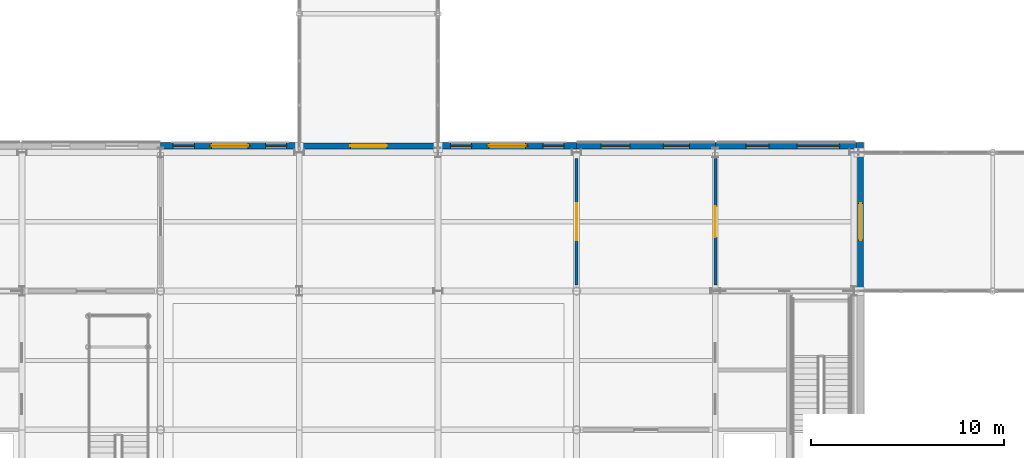
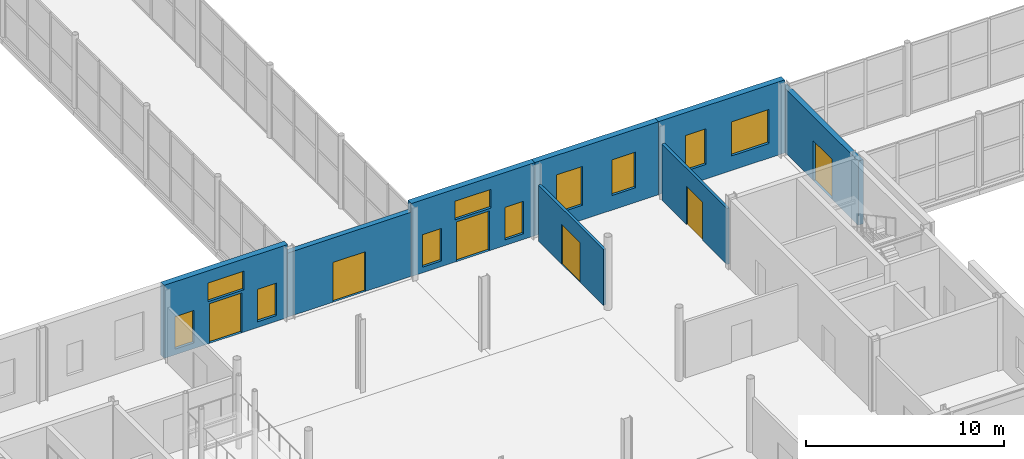
# One storey, part 59 of 92: 10 windows, 8 walls, 6 doors, 16 openings.
"""IFC4 building model written with IfcOpenShell, lengths in metres."""

from ifc_helpers import new_model, si_unit, direction, frame, frame_2d, origin, place, context, subcontext, project, spatial, rectangle, extrude, material, layer, layer_set, type_object, element, fill, save


model = new_model("IFC4")

# Units and contexts
model_context = context("Model", 3, precision=1e-05, world=origin(), true_north=direction((0.0, 1.0)))
body_context = subcontext(model_context, "Body", "Model", "MODEL_VIEW")
ifc_project = project(units=[si_unit("LENGTHUNIT", "METRE"), si_unit("AREAUNIT", "SQUARE_METRE"), si_unit("VOLUMEUNIT", "CUBIC_METRE"), si_unit("PLANEANGLEUNIT", "RADIAN"), si_unit("MASSUNIT", "GRAM", prefix="KILO")], contexts=[model_context])

# Site, building, storey
site_placement = place(None, origin())
site = spatial("IfcSite", under=ifc_project, at=site_placement, CompositionType="ELEMENT")
building_placement = place(site_placement, origin())
building = spatial("IfcBuilding", under=site, at=building_placement, Name="Zlatovets Crest Museum", CompositionType="ELEMENT")
storey_placement = place(building_placement, origin())
storey = spatial("IfcBuildingStorey", under=building, at=storey_placement, Name="L00", CompositionType="ELEMENT", Elevation=0.0)

# Wall, openings, windows
ifc_material_1 = material(Name="Vratsa limestone ashlar masonry and mineral wool", Category="masonry")
ifc_layer_1 = layer(ifc_material_1, 0.35009765625)
ifc_layer_set_1 = layer_set([ifc_layer_1], Name="Vratsa limestone ashlar masonry and mineral wool")
wall_type_1 = type_object("IfcWallType", Name="ExtWall_EW-01", PredefinedType="STANDARD", material=ifc_layer_set_1)
wall_1_placement = place(storey_placement, frame((108.1650390625, 29.139892578125, 0.0), z_axis=(0.0, 0.0, 1.0), x_axis=(-1.0, 0.0, 0.0)))
wall_1 = element("IfcWall", 1, at=wall_1_placement, inside=storey, type_object=wall_type_1, Name="V2 L00 Vratsa Limestone Plinth Wall", PredefinedType="STANDARD", context=body_context, shape_type="SweptSolid", body=[
    extrude(rectangle(XDim=7.364990234375, YDim=0.35009765625, at=frame_2d((3.6826171875, 0.0))), origin(), (0.0, 0.0, 1.0), 4.5),
])
opening_1_placement = place(wall_1_placement, frame((0.916015625, 0.0, 0.89990234375)))
opening_1 = element("IfcOpeningElement", 2, at=opening_1_placement, cuts=wall_1, Name="Opening WN-45", PredefinedType="OPENING", context=body_context, shape_type="SweptSolid", body=[
    extrude(rectangle(XDim=2.199951171875, YDim=2.10009765625, at=frame_2d((1.10009765625, 1.050048828125))), frame((0.0, 0.18505859375, 0.0), z_axis=(0.0, -1.0, 0.0), x_axis=(1.0, 0.0, 0.0)), (0.0, 0.0, 1.0), 0.3701171875),
])
opening_2_placement = place(wall_1_placement, frame((4.583984375, 0.0, 0.89990234375)))
opening_2 = element("IfcOpeningElement", 3, at=opening_2_placement, cuts=wall_1, Name="Opening WN-01", PredefinedType="OPENING", context=body_context, shape_type="SweptSolid", body=[
    extrude(rectangle(XDim=1.199951171875, YDim=2.199951171875, at=frame_2d((0.60009765625, 1.10009765625))), frame((0.0, 0.18505859375, 0.0), z_axis=(0.0, -1.0, 0.0), x_axis=(1.0, 0.0, 0.0)), (0.0, 0.0, 1.0), 0.3701171875),
])
ifc_material_2 = material(Name="Bronze-anodised aluminium frame with low-E triple glass", Category="aluminium")
window_type_1 = type_object("IfcWindowType", Name="Win_WN-01", PartitioningType="SINGLE_PANEL", PredefinedType="WINDOW", material=ifc_material_2)
window_1_placement = place(opening_2_placement, origin())
window_1 = element("IfcWindow", 4, at=window_1_placement, inside=storey, type_object=window_type_1, Name="V2 L00 Secession Plinth Window WN-01", OverallHeight=2.199951171875, OverallWidth=1.199951171875, PartitioningType="SINGLE_PANEL", PredefinedType="WINDOW", context=body_context, shape_type="SweptSolid", body=[
    extrude(rectangle(XDim=1.199951171875, YDim=2.199951171875, at=frame_2d((0.60009765625, 1.10009765625))), frame((0.0, 0.030029296875, 0.0), z_axis=(0.0, -1.0, 0.0), x_axis=(1.0, 0.0, 0.0)), (0.0, 0.0, 1.0), 0.06005859375),
])
fill(opening_2, window_1)
window_type_2 = type_object("IfcWindowType", Name="Win_WN-45", PartitioningType="SINGLE_PANEL", PredefinedType="WINDOW", material=ifc_material_2)
window_2_placement = place(opening_1_placement, origin())
window_2 = element("IfcWindow", 5, at=window_2_placement, inside=storey, type_object=window_type_2, Name="V2 L00 Secession Plinth Window WN-45", OverallHeight=2.10009765625, OverallWidth=2.199951171875, PartitioningType="SINGLE_PANEL", PredefinedType="WINDOW", context=body_context, shape_type="SweptSolid", body=[
    extrude(rectangle(XDim=2.199951171875, YDim=2.10009765625, at=frame_2d((1.10009765625, 1.050048828125))), frame((0.0, 0.030029296875, 0.0), z_axis=(0.0, -1.0, 0.0), x_axis=(1.0, 0.0, 0.0)), (0.0, 0.0, 1.0), 0.06005859375),
])
fill(opening_1, window_2)

wall_2_placement = place(storey_placement, frame((100.800048828125, 29.139892578125, 0.0), z_axis=(0.0, 0.0, 1.0), x_axis=(-1.0, 0.0, 0.0)))
wall_2 = element("IfcWall", 6, at=wall_2_placement, inside=storey, type_object=wall_type_1, Name="V2 L00 Vratsa Limestone Plinth Wall", PredefinedType="STANDARD", context=body_context, shape_type="SweptSolid", body=[
    extrude(rectangle(XDim=7.199951171875, YDim=0.35009765625, at=frame_2d((3.60009765625, 0.0))), origin(), (0.0, 0.0, 1.0), 4.5),
])
opening_3_placement = place(wall_2_placement, frame((1.341064453125, 0.0, 0.89990234375)))
opening_3 = element("IfcOpeningElement", 7, at=opening_3_placement, cuts=wall_2, Name="Opening WN-02", PredefinedType="OPENING", context=body_context, shape_type="SweptSolid", body=[
    extrude(rectangle(XDim=1.35009765625, YDim=2.199951171875, at=frame_2d((0.675048828125, 1.10009765625))), frame((0.0, 0.18505859375, 0.0), z_axis=(0.0, -1.0, 0.0), x_axis=(1.0, 0.0, 0.0)), (0.0, 0.0, 1.0), 0.3701171875),
])
opening_4_placement = place(wall_2_placement, frame((4.43408203125, 0.0, 0.89990234375)))
opening_4 = element("IfcOpeningElement", 8, at=opening_4_placement, cuts=wall_2, Name="Opening WN-03", PredefinedType="OPENING", context=body_context, shape_type="SweptSolid", body=[
    extrude(rectangle(XDim=1.5, YDim=2.39990234375, at=frame_2d((0.75, 1.199951171875))), frame((0.0, 0.18505859375, 0.0), z_axis=(0.0, -1.0, 0.0), x_axis=(1.0, 0.0, 0.0)), (0.0, 0.0, 1.0), 0.3701171875),
])
window_type_3 = type_object("IfcWindowType", Name="Win_WN-02", PartitioningType="SINGLE_PANEL", PredefinedType="WINDOW", material=ifc_material_2)
window_3_placement = place(opening_3_placement, origin())
window_3 = element("IfcWindow", 9, at=window_3_placement, inside=storey, type_object=window_type_3, Name="V2 L00 Secession Plinth Window WN-02", OverallHeight=2.199951171875, OverallWidth=1.35009765625, PartitioningType="SINGLE_PANEL", PredefinedType="WINDOW", context=body_context, shape_type="SweptSolid", body=[
    extrude(rectangle(XDim=1.35009765625, YDim=2.199951171875, at=frame_2d((0.675048828125, 1.10009765625))), frame((0.0, 0.030029296875, 0.0), z_axis=(0.0, -1.0, 0.0), x_axis=(1.0, 0.0, 0.0)), (0.0, 0.0, 1.0), 0.06005859375),
])
fill(opening_3, window_3)
window_type_4 = type_object("IfcWindowType", Name="Win_WN-03", PartitioningType="SINGLE_PANEL", PredefinedType="WINDOW", material=ifc_material_2)
window_4_placement = place(opening_4_placement, origin())
window_4 = element("IfcWindow", 10, at=window_4_placement, inside=storey, type_object=window_type_4, Name="V2 L00 Secession Plinth Window WN-03", OverallHeight=2.39990234375, OverallWidth=1.5, PartitioningType="SINGLE_PANEL", PredefinedType="WINDOW", context=body_context, shape_type="SweptSolid", body=[
    extrude(rectangle(XDim=1.5, YDim=2.39990234375, at=frame_2d((0.75, 1.199951171875))), frame((0.0, 0.030029296875, 0.0), z_axis=(0.0, -1.0, 0.0), x_axis=(1.0, 0.0, 0.0)), (0.0, 0.0, 1.0), 0.06005859375),
])
fill(opening_4, window_4)

# Wall, openings, door, windows
wall_3_placement = place(storey_placement, frame((93.60009765625, 29.139892578125, 0.0), z_axis=(0.0, 0.0, 1.0), x_axis=(-1.0, 0.0, 0.0)))
wall_3 = element("IfcWall", 11, at=wall_3_placement, inside=storey, type_object=wall_type_1, Name="V2 L00 Sculpted Art Nouveau Portal Wall", PredefinedType="STANDARD", context=body_context, shape_type="SweptSolid", body=[
    extrude(rectangle(XDim=7.2001953125, YDim=0.35009765625, at=frame_2d((3.60009765625, 0.0))), origin(), (0.0, 0.0, 1.0), 4.5),
])
opening_5_placement = place(wall_3_placement, frame((2.64990234375, 0.0, 0.0)))
opening_5 = element("IfcOpeningElement", 12, at=opening_5_placement, cuts=wall_3, Name="Opening ED-02", PredefinedType="OPENING", context=body_context, shape_type="SweptSolid", body=[
    extrude(rectangle(XDim=1.89990234375, YDim=2.449951171875, at=frame_2d((0.949951171875, 1.22509765625))), frame((0.0, 0.18505859375, 0.0), z_axis=(0.0, -1.0, 0.0), x_axis=(1.0, 0.0, 0.0)), (0.0, 0.0, 1.0), 0.3701171875),
])
opening_6_placement = place(wall_3_placement, frame((2.550048828125, 0.0, 2.60009765625)))
opening_6 = element("IfcOpeningElement", 13, at=opening_6_placement, cuts=wall_3, Name="Opening WN-13", PredefinedType="OPENING", context=body_context, shape_type="SweptSolid", body=[
    extrude(rectangle(XDim=2.10009765625, YDim=1.14990234375, at=frame_2d((1.050048828125, 0.574951171875))), frame((0.0, 0.18505859375, 0.0), z_axis=(0.0, -1.0, 0.0), x_axis=(1.0, 0.0, 0.0)), (0.0, 0.0, 1.0), 0.3701171875),
])
opening_7_placement = place(wall_3_placement, frame((0.64990234375, 0.0, 0.35009765625)))
opening_7 = element("IfcOpeningElement", 14, at=opening_7_placement, cuts=wall_3, Name="Opening WN-06", PredefinedType="OPENING", context=body_context, shape_type="SweptSolid", body=[
    extrude(rectangle(XDim=1.10009765625, YDim=2.0, at=frame_2d((0.550048828125, 1.0))), frame((0.0, 0.18505859375, 0.0), z_axis=(0.0, -1.0, 0.0), x_axis=(1.0, 0.0, 0.0)), (0.0, 0.0, 1.0), 0.3701171875),
])
opening_8_placement = place(wall_3_placement, frame((5.449951171875, 0.0, 0.35009765625)))
opening_8 = element("IfcOpeningElement", 15, at=opening_8_placement, cuts=wall_3, Name="Opening WN-06", PredefinedType="OPENING", context=body_context, shape_type="SweptSolid", body=[
    extrude(rectangle(XDim=1.10009765625, YDim=2.0, at=frame_2d((0.550048828125, 1.0))), frame((0.0, 0.18505859375, 0.0), z_axis=(0.0, -1.0, 0.0), x_axis=(1.0, 0.0, 0.0)), (0.0, 0.0, 1.0), 0.3701171875),
])
ifc_material_3 = material(Name="Bronze-clad insulated steel door", Category="steel")
door_type_1 = type_object("IfcDoorType", Name="ExtDoor_ED-02", OperationType="NOTDEFINED", PredefinedType="DOOR", material=ifc_material_3)
door_1_placement = place(opening_5_placement, origin())
door_1 = element("IfcDoor", 16, at=door_1_placement, inside=storey, type_object=door_type_1, Name="ED-V2-L00-P016 ATRIUM COURT PORTAL Exit Door", OperationType="DOUBLE_DOOR_SINGLE_SWING", OverallHeight=2.449951171875, OverallWidth=1.89990234375, PredefinedType="DOOR", context=body_context, shape_type="SweptSolid", body=[
    extrude(rectangle(XDim=1.89990234375, YDim=2.449951171875, at=frame_2d((0.949951171875, 1.22509765625))), frame((0.0, 0.02490234375, 0.0), z_axis=(0.0, -1.0, 0.0), x_axis=(1.0, 0.0, 0.0)), (0.0, 0.0, 1.0), 0.050048828125),
])
fill(opening_5, door_1)
window_type_5 = type_object("IfcWindowType", Name="Win_WN-06", PartitioningType="SINGLE_PANEL", PredefinedType="WINDOW", material=ifc_material_2)
window_5_placement = place(opening_7_placement, origin())
window_5 = element("IfcWindow", 17, at=window_5_placement, inside=storey, type_object=window_type_5, Name="ATRIUM COURT PORTAL Glazed Portal Sidelight 1", OverallHeight=2.0, OverallWidth=1.10009765625, PartitioningType="SINGLE_PANEL", PredefinedType="WINDOW", context=body_context, shape_type="SweptSolid", body=[
    extrude(rectangle(XDim=1.10009765625, YDim=2.0, at=frame_2d((0.550048828125, 1.0))), frame((0.0, 0.030029296875, 0.0), z_axis=(0.0, -1.0, 0.0), x_axis=(1.0, 0.0, 0.0)), (0.0, 0.0, 1.0), 0.06005859375),
])
fill(opening_7, window_5)
window_6_placement = place(opening_8_placement, origin())
window_6 = element("IfcWindow", 18, at=window_6_placement, inside=storey, type_object=window_type_5, Name="ATRIUM COURT PORTAL Glazed Portal Sidelight 2", OverallHeight=2.0, OverallWidth=1.10009765625, PartitioningType="SINGLE_PANEL", PredefinedType="WINDOW", context=body_context, shape_type="SweptSolid", body=[
    extrude(rectangle(XDim=1.10009765625, YDim=2.0, at=frame_2d((0.550048828125, 1.0))), frame((0.0, 0.030029296875, 0.0), z_axis=(0.0, -1.0, 0.0), x_axis=(1.0, 0.0, 0.0)), (0.0, 0.0, 1.0), 0.06005859375),
])
fill(opening_8, window_6)
window_type_6 = type_object("IfcWindowType", Name="Win_WN-13", PartitioningType="SINGLE_PANEL", PredefinedType="WINDOW", material=ifc_material_2)
window_7_placement = place(opening_6_placement, origin())
window_7 = element("IfcWindow", 19, at=window_7_placement, inside=storey, type_object=window_type_6, Name="ATRIUM COURT PORTAL Arched Portal Fanlight", OverallHeight=1.14990234375, OverallWidth=2.10009765625, PartitioningType="SINGLE_PANEL", PredefinedType="WINDOW", context=body_context, shape_type="SweptSolid", body=[
    extrude(rectangle(XDim=2.10009765625, YDim=1.14990234375, at=frame_2d((1.050048828125, 0.574951171875))), frame((0.0, 0.030029296875, 0.0), z_axis=(0.0, -1.0, 0.0), x_axis=(1.0, 0.0, 0.0)), (0.0, 0.0, 1.0), 0.06005859375),
])
fill(opening_6, window_7)

wall_4_placement = place(storey_placement, frame((79.199951171875, 29.139892578125, 0.0), z_axis=(0.0, 0.0, 1.0), x_axis=(-1.0, 0.0, 0.0)))
wall_4 = element("IfcWall", 20, at=wall_4_placement, inside=storey, type_object=wall_type_1, Name="V2 L00 Sculpted Art Nouveau Portal Wall", PredefinedType="STANDARD", context=body_context, shape_type="SweptSolid", body=[
    extrude(rectangle(XDim=7.199951171875, YDim=0.35009765625, at=frame_2d((3.60009765625, 0.0))), origin(), (0.0, 0.0, 1.0), 4.5),
])
opening_9_placement = place(wall_4_placement, frame((2.64990234375, 0.0, 0.0)))
opening_9 = element("IfcOpeningElement", 21, at=opening_9_placement, cuts=wall_4, Name="Opening ED-02", PredefinedType="OPENING", context=body_context, shape_type="SweptSolid", body=[
    extrude(rectangle(XDim=1.89990234375, YDim=2.449951171875, at=frame_2d((0.949951171875, 1.22509765625))), frame((0.0, 0.18505859375, 0.0), z_axis=(0.0, -1.0, 0.0), x_axis=(1.0, 0.0, 0.0)), (0.0, 0.0, 1.0), 0.3701171875),
])
opening_10_placement = place(wall_4_placement, frame((2.550048828125, 0.0, 2.60009765625)))
opening_10 = element("IfcOpeningElement", 22, at=opening_10_placement, cuts=wall_4, Name="Opening WN-13", PredefinedType="OPENING", context=body_context, shape_type="SweptSolid", body=[
    extrude(rectangle(XDim=2.10009765625, YDim=1.14990234375, at=frame_2d((1.050048828125, 0.574951171875))), frame((0.0, 0.18505859375, 0.0), z_axis=(0.0, -1.0, 0.0), x_axis=(1.0, 0.0, 0.0)), (0.0, 0.0, 1.0), 0.3701171875),
])
opening_11_placement = place(wall_4_placement, frame((0.64990234375, 0.0, 0.35009765625)))
opening_11 = element("IfcOpeningElement", 23, at=opening_11_placement, cuts=wall_4, Name="Opening WN-06", PredefinedType="OPENING", context=body_context, shape_type="SweptSolid", body=[
    extrude(rectangle(XDim=1.10009765625, YDim=2.0, at=frame_2d((0.550048828125, 1.0))), frame((0.0, 0.18505859375, 0.0), z_axis=(0.0, -1.0, 0.0), x_axis=(1.0, 0.0, 0.0)), (0.0, 0.0, 1.0), 0.3701171875),
])
opening_12_placement = place(wall_4_placement, frame((5.449951171875, 0.0, 0.35009765625)))
opening_12 = element("IfcOpeningElement", 24, at=opening_12_placement, cuts=wall_4, Name="Opening WN-06", PredefinedType="OPENING", context=body_context, shape_type="SweptSolid", body=[
    extrude(rectangle(XDim=1.10009765625, YDim=2.0, at=frame_2d((0.550048828125, 1.0))), frame((0.0, 0.18505859375, 0.0), z_axis=(0.0, -1.0, 0.0), x_axis=(1.0, 0.0, 0.0)), (0.0, 0.0, 1.0), 0.3701171875),
])
door_2_placement = place(opening_9_placement, origin())
door_2 = element("IfcDoor", 25, at=door_2_placement, inside=storey, type_object=door_type_1, Name="ED-V2-L00-P018 ATRIUM COURT PORTAL Exit Door", OperationType="DOUBLE_DOOR_SINGLE_SWING", OverallHeight=2.449951171875, OverallWidth=1.89990234375, PredefinedType="DOOR", context=body_context, shape_type="SweptSolid", body=[
    extrude(rectangle(XDim=1.89990234375, YDim=2.449951171875, at=frame_2d((0.949951171875, 1.22509765625))), frame((0.0, 0.02490234375, 0.0), z_axis=(0.0, -1.0, 0.0), x_axis=(1.0, 0.0, 0.0)), (0.0, 0.0, 1.0), 0.050048828125),
])
fill(opening_9, door_2)
window_8_placement = place(opening_11_placement, origin())
window_8 = element("IfcWindow", 26, at=window_8_placement, inside=storey, type_object=window_type_5, Name="ATRIUM COURT PORTAL Glazed Portal Sidelight 1", OverallHeight=2.0, OverallWidth=1.10009765625, PartitioningType="SINGLE_PANEL", PredefinedType="WINDOW", context=body_context, shape_type="SweptSolid", body=[
    extrude(rectangle(XDim=1.10009765625, YDim=2.0, at=frame_2d((0.550048828125, 1.0))), frame((0.0, 0.030029296875, 0.0), z_axis=(0.0, -1.0, 0.0), x_axis=(1.0, 0.0, 0.0)), (0.0, 0.0, 1.0), 0.06005859375),
])
fill(opening_11, window_8)
window_9_placement = place(opening_12_placement, origin())
window_9 = element("IfcWindow", 27, at=window_9_placement, inside=storey, type_object=window_type_5, Name="ATRIUM COURT PORTAL Glazed Portal Sidelight 2", OverallHeight=2.0, OverallWidth=1.10009765625, PartitioningType="SINGLE_PANEL", PredefinedType="WINDOW", context=body_context, shape_type="SweptSolid", body=[
    extrude(rectangle(XDim=1.10009765625, YDim=2.0, at=frame_2d((0.550048828125, 1.0))), frame((0.0, 0.030029296875, 0.0), z_axis=(0.0, -1.0, 0.0), x_axis=(1.0, 0.0, 0.0)), (0.0, 0.0, 1.0), 0.06005859375),
])
fill(opening_12, window_9)
window_10_placement = place(opening_10_placement, origin())
window_10 = element("IfcWindow", 28, at=window_10_placement, inside=storey, type_object=window_type_6, Name="ATRIUM COURT PORTAL Arched Portal Fanlight", OverallHeight=1.14990234375, OverallWidth=2.10009765625, PartitioningType="SINGLE_PANEL", PredefinedType="WINDOW", context=body_context, shape_type="SweptSolid", body=[
    extrude(rectangle(XDim=2.10009765625, YDim=1.14990234375, at=frame_2d((1.050048828125, 0.574951171875))), frame((0.0, 0.030029296875, 0.0), z_axis=(0.0, -1.0, 0.0), x_axis=(1.0, 0.0, 0.0)), (0.0, 0.0, 1.0), 0.06005859375),
])
fill(opening_10, window_10)

# Wall, opening, door
ifc_material_4 = material(Name="Insulated gallery conservation liner wall", Category="concrete")
ifc_layer_2 = layer(ifc_material_4, 0.300048828125)
ifc_layer_set_2 = layer_set([ifc_layer_2], Name="Insulated gallery conservation liner wall")
wall_type_2 = type_object("IfcWallType", Name="ExtWall_EW-02", PredefinedType="STANDARD", material=ifc_layer_set_2)
wall_5_placement = place(storey_placement, frame((108.340087890625, 21.60009765625, 0.0), z_axis=(0.0, 0.0, 1.0), x_axis=(0.0, 1.0, 0.0)))
wall_5 = element("IfcWall", 29, at=wall_5_placement, inside=storey, type_object=wall_type_2, Name="V2 L00 Bridge Portal Wall", PredefinedType="STANDARD", context=body_context, shape_type="SweptSolid", body=[
    extrude(rectangle(XDim=7.71484375, YDim=0.300048828125, at=frame_2d((3.857421875, 0.0))), origin(), (0.0, 0.0, 1.0), 3.949951171875),
])
opening_13_placement = place(wall_5_placement, frame((2.64990234375, 0.0, 0.0)))
opening_13 = element("IfcOpeningElement", 30, at=opening_13_placement, cuts=wall_5, Name="Opening ED-02", PredefinedType="OPENING", context=body_context, shape_type="SweptSolid", body=[
    extrude(rectangle(XDim=1.89990234375, YDim=2.449951171875, at=frame_2d((0.949951171875, 1.22509765625))), frame((0.0, 0.16015625, 0.0), z_axis=(0.0, -1.0, 0.0), x_axis=(1.0, 0.0, 0.0)), (0.0, 0.0, 1.0), 0.320068359375),
])
door_3_placement = place(opening_13_placement, origin())
door_3 = element("IfcDoor", 31, at=door_3_placement, inside=storey, type_object=door_type_1, Name="ED-V2-L00-BR015 V2 L00 Bridge Link Portal Door", OperationType="DOUBLE_DOOR_SINGLE_SWING", OverallHeight=2.449951171875, OverallWidth=1.89990234375, PredefinedType="DOOR", context=body_context, shape_type="SweptSolid", body=[
    extrude(rectangle(XDim=1.89990234375, YDim=2.449951171875, at=frame_2d((0.949951171875, 1.22509765625))), frame((0.0, 0.02490234375, 0.0), z_axis=(0.0, -1.0, 0.0), x_axis=(1.0, 0.0, 0.0)), (0.0, 0.0, 1.0), 0.050048828125),
])
fill(opening_13, door_3)

wall_6_placement = place(storey_placement, frame((86.39990234375, 29.139892578125, 0.0), z_axis=(0.0, 0.0, 1.0), x_axis=(-1.0, 0.0, 0.0)))
wall_6 = element("IfcWall", 32, at=wall_6_placement, inside=storey, type_object=wall_type_2, Name="V2 L00 Bridge Portal Wall", PredefinedType="STANDARD", context=body_context, shape_type="SweptSolid", body=[
    extrude(rectangle(XDim=7.199951171875, YDim=0.300048828125, at=frame_2d((3.60009765625, 0.0))), origin(), (0.0, 0.0, 1.0), 3.949951171875),
])
opening_14_placement = place(wall_6_placement, frame((2.64990234375, 0.0, 0.0)))
opening_14 = element("IfcOpeningElement", 33, at=opening_14_placement, cuts=wall_6, Name="Opening ED-02", PredefinedType="OPENING", context=body_context, shape_type="SweptSolid", body=[
    extrude(rectangle(XDim=1.89990234375, YDim=2.449951171875, at=frame_2d((0.949951171875, 1.22509765625))), frame((0.0, 0.16015625, 0.0), z_axis=(0.0, -1.0, 0.0), x_axis=(1.0, 0.0, 0.0)), (0.0, 0.0, 1.0), 0.320068359375),
])
door_4_placement = place(opening_14_placement, origin())
door_4 = element("IfcDoor", 34, at=door_4_placement, inside=storey, type_object=door_type_1, Name="ED-V2-L00-BR017 V2 L00 Bridge Link Portal Door", OperationType="DOUBLE_DOOR_SINGLE_SWING", OverallHeight=2.449951171875, OverallWidth=1.89990234375, PredefinedType="DOOR", context=body_context, shape_type="SweptSolid", body=[
    extrude(rectangle(XDim=1.89990234375, YDim=2.449951171875, at=frame_2d((0.949951171875, 1.22509765625))), frame((0.0, 0.02490234375, 0.0), z_axis=(0.0, -1.0, 0.0), x_axis=(1.0, 0.0, 0.0)), (0.0, 0.0, 1.0), 0.050048828125),
])
fill(opening_14, door_4)

ifc_material_5 = material(Name="Acoustic museum gallery stud partition")
ifc_layer_3 = layer(ifc_material_5, 0.159912109375)
ifc_layer_set_3 = layer_set([ifc_layer_3], Name="Acoustic museum gallery stud partition")
wall_type_3 = type_object("IfcWallType", Name="PartWall_PT-02", PredefinedType="PARTITIONING", material=ifc_layer_set_3)
wall_7_placement = place(storey_placement, frame((100.800048828125, 21.919921875, 0.0), z_axis=(0.0, 0.0, 1.0), x_axis=(0.0, 1.0, 0.0)))
wall_7 = element("IfcWall", 35, at=wall_7_placement, inside=storey, type_object=wall_type_3, Name="V2 L00 Interior Partition PT-02", PredefinedType="PARTITIONING", context=body_context, shape_type="SweptSolid", body=[
    extrude(rectangle(XDim=6.56005859375, YDim=0.159912109375, at=frame_2d((3.280029296875, 0.0))), origin(), (0.0, 0.0, 1.0), 3.449951171875),
])
opening_15_placement = place(wall_7_placement, frame((2.47998046875, 0.0, 0.0)))
opening_15 = element("IfcOpeningElement", 36, at=opening_15_placement, cuts=wall_7, Name="Opening ID-04", PredefinedType="OPENING", context=body_context, shape_type="SweptSolid", body=[
    extrude(rectangle(XDim=1.60009765625, YDim=2.35009765625, at=frame_2d((0.800048828125, 1.175048828125))), frame((0.0, 0.08984375, 0.0), z_axis=(0.0, -1.0, 0.0), x_axis=(1.0, 0.0, 0.0)), (0.0, 0.0, 1.0), 0.179931640625),
])
ifc_material_6 = material(Name="Gallery salon double portal door")
door_type_2 = type_object("IfcDoorType", Name="IntDoor_ID-04", OperationType="DOUBLE_DOOR_SINGLE_SWING", PredefinedType="DOOR", material=ifc_material_6)
door_5_placement = place(opening_15_placement, origin())
door_5 = element("IfcDoor", 37, at=door_5_placement, inside=storey, type_object=door_type_2, Name="IDOOR-V2-L00-0060 Temporary Exhibition Gallery to East Bridge Vestibule L00 Door", OperationType="DOUBLE_DOOR_SINGLE_SWING", OverallHeight=2.35009765625, OverallWidth=1.60009765625, PredefinedType="DOOR", context=body_context, shape_type="SweptSolid", body=[
    extrude(rectangle(XDim=1.60009765625, YDim=2.35009765625, at=frame_2d((0.800048828125, 1.175048828125))), frame((0.0, 0.02490234375, 0.0), z_axis=(0.0, -1.0, 0.0), x_axis=(1.0, 0.0, 0.0)), (0.0, 0.0, 1.0), 0.050048828125),
])
fill(opening_15, door_5)

wall_8_placement = place(storey_placement, frame((93.60009765625, 21.919921875, 0.0), z_axis=(0.0, 0.0, 1.0), x_axis=(0.0, 1.0, 0.0)))
wall_8 = element("IfcWall", 38, at=wall_8_placement, inside=storey, type_object=wall_type_3, Name="V2 L00 Interior Partition PT-02", PredefinedType="PARTITIONING", context=body_context, shape_type="SweptSolid", body=[
    extrude(rectangle(XDim=6.56005859375, YDim=0.159912109375, at=frame_2d((3.280029296875, 0.0))), origin(), (0.0, 0.0, 1.0), 3.449951171875),
])
opening_16_placement = place(wall_8_placement, frame((2.330078125, 0.0, 0.0)))
opening_16 = element("IfcOpeningElement", 39, at=opening_16_placement, cuts=wall_8, Name="Opening ID-05", PredefinedType="OPENING", context=body_context, shape_type="SweptSolid", body=[
    extrude(rectangle(XDim=1.89990234375, YDim=2.449951171875, at=frame_2d((0.949951171875, 1.22509765625))), frame((0.0, 0.08984375, 0.0), z_axis=(0.0, -1.0, 0.0), x_axis=(1.0, 0.0, 0.0)), (0.0, 0.0, 1.0), 0.179931640625),
])
ifc_material_7 = material(Name="Monumental exhibition hall double door")
door_type_3 = type_object("IfcDoorType", Name="IntDoor_ID-05", OperationType="DOUBLE_DOOR_SINGLE_SWING", PredefinedType="DOOR", material=ifc_material_7)
door_6_placement = place(opening_16_placement, origin())
door_6 = element("IfcDoor", 40, at=door_6_placement, inside=storey, type_object=door_type_3, Name="IDOOR-V2-L00-0061 Temporary Exhibition Gallery to Court Colonnade Vestibule Door", OperationType="DOUBLE_DOOR_SINGLE_SWING", OverallHeight=2.449951171875, OverallWidth=1.89990234375, PredefinedType="DOOR", context=body_context, shape_type="SweptSolid", body=[
    extrude(rectangle(XDim=1.89990234375, YDim=2.449951171875, at=frame_2d((0.949951171875, 1.22509765625))), frame((0.0, 0.02490234375, 0.0), z_axis=(0.0, -1.0, 0.0), x_axis=(1.0, 0.0, 0.0)), (0.0, 0.0, 1.0), 0.050048828125),
])
fill(opening_16, door_6)

save(model, "model.ifc")
